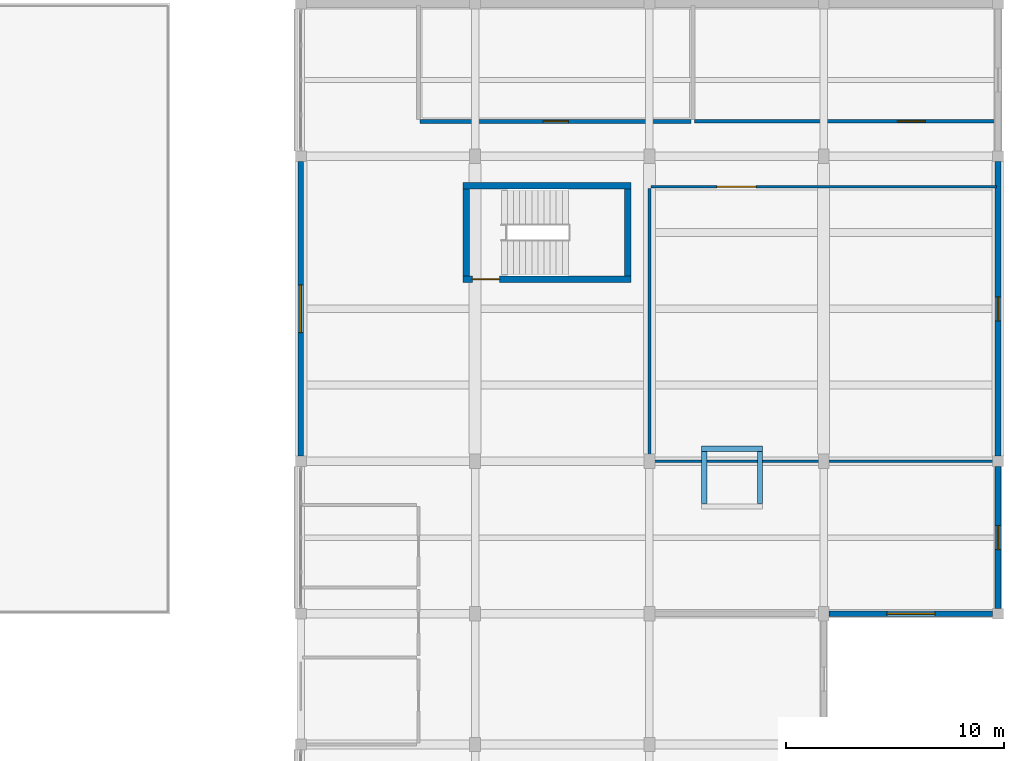
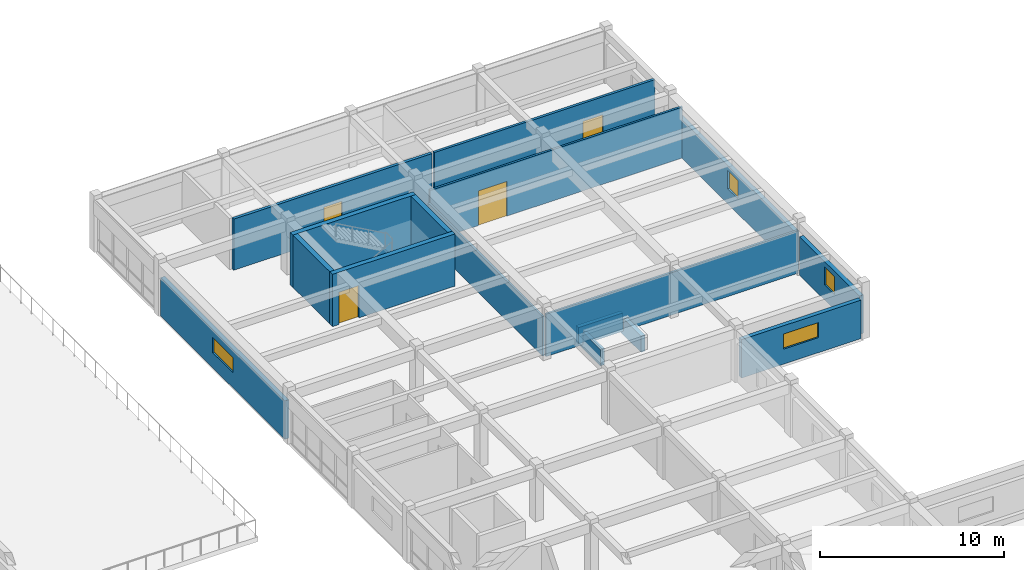
# One storey, part 14 of 22: 16 walls, 4 doors, 4 windows, 8 openings.
"""IFC4 building model written with IfcOpenShell, lengths in metres."""

from ifc_helpers import new_model, si_unit, direction, frame, frame_2d, origin, place, context, subcontext, project, spatial, rectangle, extrude, material, layer, layer_set, type_object, element, fill, save


model = new_model("IFC4")

# Units and contexts
model_context = context("Model", 3, precision=1e-05, world=origin(), true_north=direction((0.0, 1.0)))
body_context = subcontext(model_context, "Body", "Model", "MODEL_VIEW")
ifc_project = project(units=[si_unit("LENGTHUNIT", "METRE"), si_unit("AREAUNIT", "SQUARE_METRE"), si_unit("VOLUMEUNIT", "CUBIC_METRE"), si_unit("PLANEANGLEUNIT", "RADIAN"), si_unit("MASSUNIT", "GRAM", prefix="KILO")], contexts=[model_context])

# Site, building, storey
site_placement = place(None, origin())
site = spatial("IfcSite", under=ifc_project, at=site_placement, CompositionType="ELEMENT")
building_placement = place(site_placement, origin())
building = spatial("IfcBuilding", under=site, at=building_placement, Name="Naurynzar Civic Courthouse", CompositionType="ELEMENT")
storey_placement = place(building_placement, frame((0.0, 0.0, 25.800048828125)))
storey = spatial("IfcBuildingStorey", under=building, at=storey_placement, Name="L07", CompositionType="ELEMENT", Elevation=25.800048828125)

# Wall
ifc_material_1 = material(Name="Acoustic Double-Stud Gypsum Partition")
ifc_layer_1 = layer(ifc_material_1, 0.1298828125)
ifc_layer_set_1 = layer_set([ifc_layer_1], Name="WL-ACOUSTIC-130")
wall_type_1 = type_object("IfcWallType", Name="WL-ACOUSTIC-130", PredefinedType="PARTITIONING", material=ifc_layer_set_1)
wall_1_placement = place(storey_placement, frame((146.080078125, 51.0, 0.0), z_axis=(0.0, 0.0, 1.0), x_axis=(1.0, 0.0, 0.0)))
element("IfcWall", 1, at=wall_1_placement, inside=storey, type_object=wall_type_1, Name="V5 interior partition L07.730", PredefinedType="PARTITIONING", context=body_context, shape_type="SweptSolid", body=[
    extrude(rectangle(XDim=15.83984375, YDim=0.1298828125, at=frame_2d((7.919921875, 0.0))), origin(), (0.0, 0.0, 1.0), 2.820068359375),
])

# Wall, opening, door
wall_2_placement = place(storey_placement, frame((146.080078125, 63.60009765625, 0.0), z_axis=(0.0, 0.0, 1.0), x_axis=(1.0, 0.0, 0.0)))
wall_2 = element("IfcWall", 2, at=wall_2_placement, inside=storey, type_object=wall_type_1, Name="V5 interior partition L07.731", PredefinedType="PARTITIONING", context=body_context, shape_type="SweptSolid", body=[
    extrude(rectangle(XDim=15.83984375, YDim=0.1298828125, at=frame_2d((7.919921875, 0.0))), origin(), (0.0, 0.0, 1.0), 3.389892578125),
])
opening_1_placement = place(wall_2_placement, frame((3.02001953125, 0.0, 0.0)))
opening_1 = element("IfcOpeningElement", 3, at=opening_1_placement, cuts=wall_2, Name="Opening D-358", PredefinedType="OPENING", context=body_context, shape_type="SweptSolid", body=[
    extrude(rectangle(XDim=1.800048828125, YDim=2.300048828125, at=frame_2d((0.89990234375, 1.14990234375))), frame((0.0, 0.074951171875, 0.0), z_axis=(0.0, -1.0, 0.0), x_axis=(1.0, 0.0, 0.0)), (0.0, 0.0, 1.0), 0.14990234375),
])
ifc_material_2 = material(Name="Acoustic Oak Timber Grade A", Category="wood")
door_type_1 = type_object("IfcDoorType", Name="DR-COURT-DBL-1800x2300", OperationType="DOUBLE_DOOR_SINGLE_SWING", PredefinedType="DOOR", material=ifc_material_2)
door_1_placement = place(opening_1_placement, origin())
door_1 = element("IfcDoor", 4, at=door_1_placement, inside=storey, type_object=door_type_1, Name="Interior door D-358 (Special Jurisdiction Courtroom 7B)", OperationType="DOUBLE_DOOR_SINGLE_SWING", OverallHeight=2.300048828125, OverallWidth=1.800048828125, PredefinedType="DOOR", context=body_context, shape_type="SweptSolid", body=[
    extrude(rectangle(XDim=1.800048828125, YDim=2.300048828125, at=frame_2d((0.89990234375, 1.14990234375))), frame((0.0, 0.02490234375, 0.0), z_axis=(0.0, -1.0, 0.0), x_axis=(1.0, 0.0, 0.0)), (0.0, 0.0, 1.0), 0.050048828125),
])
fill(opening_1, door_1)

# Walls
wall_3_placement = place(storey_placement, frame((146.0, 51.080078125, 0.0), z_axis=(0.0, 0.0, 1.0), x_axis=(0.0, 1.0, 0.0)))
element("IfcWall", 5, at=wall_3_placement, inside=storey, type_object=wall_type_1, Name="V5 interior partition L07.761", PredefinedType="PARTITIONING", context=body_context, shape_type="SweptSolid", body=[
    extrude(rectangle(XDim=12.43994140625, YDim=0.1298828125, at=frame_2d((6.219970703125, 0.0))), origin(), (0.0, 0.0, 1.0), 2.619873046875),
])
ifc_material_3 = material(Name="Concrete C40/50", Category="concrete")
ifc_layer_2 = layer(ifc_material_3, 0.300048828125)
ifc_layer_set_2 = layer_set([ifc_layer_2], Name="WL-CORE-300")
wall_type_2 = type_object("IfcWallType", Name="WL-CORE-300", PredefinedType="SHEAR", material=ifc_layer_set_2)
wall_4_placement = place(storey_placement, frame((145.14990234375, 63.64990234375, 0.0), z_axis=(0.0, 0.0, 1.0), x_axis=(-1.0, 0.0, 0.0)))
element("IfcWall", 6, at=wall_4_placement, inside=storey, type_object=wall_type_2, Name="Stair ST-V5B enclosure wall north L07", PredefinedType="SHEAR", context=body_context, shape_type="SweptSolid", body=[
    extrude(rectangle(XDim=7.699951171875, YDim=0.300048828125, at=frame_2d((3.85009765625, 0.0))), origin(), (0.0, 0.0, 1.0), 3.469970703125),
])

# Wall, opening, door
wall_5_placement = place(storey_placement, frame((137.449951171875, 59.35009765625, 0.0), z_axis=(0.0, 0.0, 1.0), x_axis=(1.0, 0.0, 0.0)))
wall_5 = element("IfcWall", 7, at=wall_5_placement, inside=storey, type_object=wall_type_2, Name="Stair ST-V5B enclosure wall south L07", PredefinedType="SHEAR", context=body_context, shape_type="SweptSolid", body=[
    extrude(rectangle(XDim=7.699951171875, YDim=0.300048828125, at=frame_2d((3.85009765625, 0.0))), origin(), (0.0, 0.0, 1.0), 3.469970703125),
])
opening_2_placement = place(wall_5_placement, frame((0.425048828125, 0.0, 0.0)))
opening_2 = element("IfcOpeningElement", 8, at=opening_2_placement, cuts=wall_5, Name="Opening SD-075", PredefinedType="OPENING", context=body_context, shape_type="SweptSolid", body=[
    extrude(rectangle(XDim=1.25, YDim=2.14990234375, at=frame_2d((0.625, 1.074951171875))), frame((0.0, 0.159912109375, 0.0), z_axis=(0.0, -1.0, 0.0), x_axis=(1.0, 0.0, 0.0)), (0.0, 0.0, 1.0), 0.320068359375),
])
ifc_material_4 = material(Name="Powder-Coated Galvanised Steel", Category="steel")
door_type_2 = type_object("IfcDoorType", Name="DR-STAIR-1250x2150", OperationType="NOTDEFINED", PredefinedType="DOOR", material=ifc_material_4)
door_2_placement = place(opening_2_placement, origin())
door_2 = element("IfcDoor", 9, at=door_2_placement, inside=storey, type_object=door_type_2, Name="Stair ST-V5B fire door L07", OperationType="SINGLE_SWING_LEFT", OverallHeight=2.14990234375, OverallWidth=1.25, PredefinedType="DOOR", context=body_context, shape_type="SweptSolid", body=[
    extrude(rectangle(XDim=1.25, YDim=2.14990234375, at=frame_2d((0.625, 1.074951171875))), frame((0.0, 0.02490234375, 0.0), z_axis=(0.0, -1.0, 0.0), x_axis=(1.0, 0.0, 0.0)), (0.0, 0.0, 1.0), 0.050048828125),
])
fill(opening_2, door_2)

# Walls
for number, where, z_axis, x_axis, name in (
    (10, (137.60009765625, 63.4951171875, 0.0), (0.0, 0.0, 1.0), (0.0, -1.0, 0.0), "Stair ST-V5B enclosure wall west L07"),
    (11, (145.0, 59.5048828125, 0.0), (0.0, 0.0, 1.0), (0.0, 1.0, 0.0), "Stair ST-V5B enclosure wall east L07"),
):
    element("IfcWall", number, at=place(storey_placement, frame(where, z_axis=z_axis, x_axis=x_axis)), inside=storey, type_object=wall_type_2, Name=name, PredefinedType="SHEAR", context=body_context, shape_type="SweptSolid", body=[
        extrude(rectangle(XDim=3.990234375, YDim=0.300048828125, at=frame_2d((1.9951171875, 0.0))), origin(), (0.0, 0.0, 1.0), 3.469970703125),
    ])

# Wall, opening, window
ifc_material_5 = material(Name="Precast concrete C40/50", Category="concrete")
ifc_layer_3 = layer(ifc_material_5, 0.260009765625)
ifc_layer_set_3 = layer_set([ifc_layer_3], Name="WL-EXT-260")
wall_type_3 = type_object("IfcWallType", Name="WL-EXT-260", PredefinedType="SOLIDWALL", material=ifc_layer_set_3)
wall_6_placement = place(storey_placement, frame((130.0, 51.25, 0.0), z_axis=(0.0, 0.0, 1.0), x_axis=(0.0, 1.0, 0.0)))
wall_6 = element("IfcWall", 12, at=wall_6_placement, inside=storey, type_object=wall_type_3, Name="V5 exterior wall west L07.6.1", PredefinedType="SOLIDWALL", context=body_context, shape_type="SweptSolid", body=[
    extrude(rectangle(XDim=13.5, YDim=0.260009765625, at=frame_2d((6.75, 0.0))), origin(), (0.0, 0.0, 1.0), 2.550048828125),
])
opening_3_placement = place(wall_6_placement, frame((5.64990234375, 0.0, 1.0)))
opening_3 = element("IfcOpeningElement", 13, at=opening_3_placement, cuts=wall_6, Name="Opening WN-18", PredefinedType="OPENING", context=body_context, shape_type="SweptSolid", body=[
    extrude(rectangle(XDim=2.199951171875, YDim=1.0, at=frame_2d((1.10009765625, 0.5))), frame((0.0, 0.139892578125, 0.0), z_axis=(0.0, -1.0, 0.0), x_axis=(1.0, 0.0, 0.0)), (0.0, 0.0, 1.0), 0.280029296875),
])
ifc_material_6 = material(Name="Tempered Laminated Low-E Glass", Category="glass")
window_type_1 = type_object("IfcWindowType", Name="WIN-CLER-2200x1000", PartitioningType="DOUBLE_PANEL_VERTICAL", PredefinedType="WINDOW", material=ifc_material_6)
window_1_placement = place(opening_3_placement, origin())
window_1 = element("IfcWindow", 14, at=window_1_placement, inside=storey, type_object=window_type_1, Name="V5 window 354 L07", OverallHeight=1.0, OverallWidth=2.199951171875, PartitioningType="SINGLE_PANEL", PredefinedType="WINDOW", context=body_context, shape_type="SweptSolid", body=[
    extrude(rectangle(XDim=2.199951171875, YDim=1.0, at=frame_2d((1.10009765625, 0.5))), frame((0.0, 0.030029296875, 0.0), z_axis=(0.0, -1.0, 0.0), x_axis=(1.0, 0.0, 0.0)), (0.0, 0.0, 1.0), 0.06005859375),
])
fill(opening_3, window_1)

wall_7_placement = place(storey_placement, frame((162.0, 64.75, 0.0), z_axis=(0.0, 0.0, 1.0), x_axis=(0.0, -1.0, 0.0)))
wall_7 = element("IfcWall", 15, at=wall_7_placement, inside=storey, type_object=wall_type_3, Name="V5 exterior wall east_north L07.2.1", PredefinedType="SOLIDWALL", context=body_context, shape_type="SweptSolid", body=[
    extrude(rectangle(XDim=13.5, YDim=0.260009765625, at=frame_2d((6.75, 0.0))), origin(), (0.0, 0.0, 1.0), 2.550048828125),
])
opening_4_placement = place(wall_7_placement, frame((6.199951171875, 0.0, 1.0)))
opening_4 = element("IfcOpeningElement", 16, at=opening_4_placement, cuts=wall_7, Name="Opening WN-15", PredefinedType="OPENING", context=body_context, shape_type="SweptSolid", body=[
    extrude(rectangle(XDim=1.10009765625, YDim=1.199951171875, at=frame_2d((0.550048828125, 0.60009765625))), frame((0.0, 0.139892578125, 0.0), z_axis=(0.0, -1.0, 0.0), x_axis=(1.0, 0.0, 0.0)), (0.0, 0.0, 1.0), 0.280029296875),
])
ifc_material_7 = material(Name="Tempered Laminated Low-E Glass", Category="glass")
window_type_2 = type_object("IfcWindowType", Name="WIN-SEC-1100x1200", PartitioningType="SINGLE_PANEL", PredefinedType="WINDOW", material=ifc_material_7)
window_2_placement = place(opening_4_placement, origin())
window_2 = element("IfcWindow", 17, at=window_2_placement, inside=storey, type_object=window_type_2, Name="V5 window 356 L07", OverallHeight=1.199951171875, OverallWidth=1.10009765625, PartitioningType="SINGLE_PANEL", PredefinedType="WINDOW", context=body_context, shape_type="SweptSolid", body=[
    extrude(rectangle(XDim=1.10009765625, YDim=1.199951171875, at=frame_2d((0.550048828125, 0.60009765625))), frame((0.0, 0.030029296875, 0.0), z_axis=(0.0, -1.0, 0.0), x_axis=(1.0, 0.0, 0.0)), (0.0, 0.0, 1.0), 0.06005859375),
])
fill(opening_4, window_2)

wall_8_placement = place(storey_placement, frame((162.0, 50.75, 0.0), z_axis=(0.0, 0.0, 1.0), x_axis=(0.0, -1.0, 0.0)))
wall_8 = element("IfcWall", 18, at=wall_8_placement, inside=storey, type_object=wall_type_3, Name="V5 exterior wall east_north L07.3.1", PredefinedType="SOLIDWALL", context=body_context, shape_type="SweptSolid", body=[
    extrude(rectangle(XDim=6.5, YDim=0.260009765625, at=frame_2d((3.25, 0.0))), origin(), (0.0, 0.0, 1.0), 2.550048828125),
])
opening_5_placement = place(wall_8_placement, frame((2.699951171875, 0.0, 1.0)))
opening_5 = element("IfcOpeningElement", 19, at=opening_5_placement, cuts=wall_8, Name="Opening WN-15", PredefinedType="OPENING", context=body_context, shape_type="SweptSolid", body=[
    extrude(rectangle(XDim=1.10009765625, YDim=1.199951171875, at=frame_2d((0.550048828125, 0.60009765625))), frame((0.0, 0.139892578125, 0.0), z_axis=(0.0, -1.0, 0.0), x_axis=(1.0, 0.0, 0.0)), (0.0, 0.0, 1.0), 0.280029296875),
])
window_3_placement = place(opening_5_placement, origin())
window_3 = element("IfcWindow", 20, at=window_3_placement, inside=storey, type_object=window_type_2, Name="V5 window 357 L07", OverallHeight=1.199951171875, OverallWidth=1.10009765625, PartitioningType="SINGLE_PANEL", PredefinedType="WINDOW", context=body_context, shape_type="SweptSolid", body=[
    extrude(rectangle(XDim=1.10009765625, YDim=1.199951171875, at=frame_2d((0.550048828125, 0.60009765625))), frame((0.0, 0.030029296875, 0.0), z_axis=(0.0, -1.0, 0.0), x_axis=(1.0, 0.0, 0.0)), (0.0, 0.0, 1.0), 0.06005859375),
])
fill(opening_5, window_3)

wall_9_placement = place(storey_placement, frame((161.75, 44.0, 0.0), z_axis=(0.0, 0.0, 1.0), x_axis=(-1.0, 0.0, 0.0)))
wall_9 = element("IfcWall", 21, at=wall_9_placement, inside=storey, type_object=wall_type_3, Name="V5 exterior wall notch_n L07.1.1", PredefinedType="SOLIDWALL", context=body_context, shape_type="SweptSolid", body=[
    extrude(rectangle(XDim=7.5, YDim=0.260009765625, at=frame_2d((3.75, 0.0))), origin(), (0.0, 0.0, 1.0), 2.550048828125),
])
opening_6_placement = place(wall_9_placement, frame((2.64990234375, 0.0, 1.0)))
opening_6 = element("IfcOpeningElement", 22, at=opening_6_placement, cuts=wall_9, Name="Opening WN-18", PredefinedType="OPENING", context=body_context, shape_type="SweptSolid", body=[
    extrude(rectangle(XDim=2.199951171875, YDim=1.0, at=frame_2d((1.10009765625, 0.5))), frame((0.0, 0.139892578125, 0.0), z_axis=(0.0, -1.0, 0.0), x_axis=(1.0, 0.0, 0.0)), (0.0, 0.0, 1.0), 0.280029296875),
])
window_4_placement = place(opening_6_placement, origin())
window_4 = element("IfcWindow", 23, at=window_4_placement, inside=storey, type_object=window_type_1, Name="V5 window 358 L07", OverallHeight=1.0, OverallWidth=2.199951171875, PartitioningType="SINGLE_PANEL", PredefinedType="WINDOW", context=body_context, shape_type="SweptSolid", body=[
    extrude(rectangle(XDim=2.199951171875, YDim=1.0, at=frame_2d((1.10009765625, 0.5))), frame((0.0, 0.030029296875, 0.0), z_axis=(0.0, -1.0, 0.0), x_axis=(1.0, 0.0, 0.0)), (0.0, 0.0, 1.0), 0.06005859375),
])
fill(opening_6, window_4)

# Wall, opening, door
ifc_material_8 = material(Name="Insulated Metal-Stud Gypsum Partition")
ifc_layer_4 = layer(ifc_material_8, 0.159912109375)
ifc_layer_set_4 = layer_set([ifc_layer_4], Name="WL-PART-CHAMB-160")
wall_type_4 = type_object("IfcWallType", Name="WL-PART-CHAMB-160", PredefinedType="PARTITIONING", material=ifc_layer_set_4)
wall_10_placement = place(storey_placement, frame((148.080078125, 66.60009765625, 0.0), z_axis=(0.0, 0.0, 1.0), x_axis=(1.0, 0.0, 0.0)))
wall_10 = element("IfcWall", 24, at=wall_10_placement, inside=storey, type_object=wall_type_4, Name="V5 interior partition L07.737", PredefinedType="PARTITIONING", context=body_context, shape_type="SweptSolid", body=[
    extrude(rectangle(XDim=13.83984375, YDim=0.159912109375, at=frame_2d((6.919921875, 0.0))), origin(), (0.0, 0.0, 1.0), 3.389892578125),
])
opening_7_placement = place(wall_10_placement, frame((9.302001953125, 0.0, 0.0)))
opening_7 = element("IfcOpeningElement", 25, at=opening_7_placement, cuts=wall_10, Name="Opening D-360", PredefinedType="OPENING", context=body_context, shape_type="SweptSolid", body=[
    extrude(rectangle(XDim=1.280029296875, YDim=2.199951171875, at=frame_2d((0.64013671875, 1.10009765625))), frame((0.0, 0.08984375, 0.0), z_axis=(0.0, -1.0, 0.0), x_axis=(1.0, 0.0, 0.0)), (0.0, 0.0, 1.0), 0.179931640625),
])
ifc_material_9 = material(Name="Acoustic Oak Timber Grade A", Category="wood")
door_type_3 = type_object("IfcDoorType", Name="DR-SUITE-1280x2200", OperationType="NOTDEFINED", PredefinedType="DOOR", material=ifc_material_9)
door_3_placement = place(opening_7_placement, origin())
door_3 = element("IfcDoor", 26, at=door_3_placement, inside=storey, type_object=door_type_3, Name="Interior door D-360 (Criminal Judges' Chambers 7-V5)", OperationType="SINGLE_SWING_RIGHT", OverallHeight=2.199951171875, OverallWidth=1.280029296875, PredefinedType="DOOR", context=body_context, shape_type="SweptSolid", body=[
    extrude(rectangle(XDim=1.280029296875, YDim=2.199951171875, at=frame_2d((0.64013671875, 1.10009765625))), frame((0.0, 0.02490234375, 0.0), z_axis=(0.0, -1.0, 0.0), x_axis=(1.0, 0.0, 0.0)), (0.0, 0.0, 1.0), 0.050048828125),
])
fill(opening_7, door_3)

ifc_material_10 = material(Name="Acoustic Double-Stud Gypsum Partition")
ifc_layer_5 = layer(ifc_material_10, 0.179931640625)
ifc_layer_set_5 = layer_set([ifc_layer_5], Name="WL-PART-JURY-180")
wall_type_5 = type_object("IfcWallType", Name="WL-PART-JURY-180", PredefinedType="PARTITIONING", material=ifc_layer_set_5)
wall_11_placement = place(storey_placement, frame((135.47998046875, 66.60009765625, 0.0), z_axis=(0.0, 0.0, 1.0), x_axis=(1.0, 0.0, 0.0)))
wall_11 = element("IfcWall", 27, at=wall_11_placement, inside=storey, type_object=wall_type_5, Name="V5 interior partition L07.736", PredefinedType="PARTITIONING", context=body_context, shape_type="SweptSolid", body=[
    extrude(rectangle(XDim=12.43994140625, YDim=0.179931640625, at=frame_2d((6.219970703125, 0.0))), origin(), (0.0, 0.0, 1.0), 3.389892578125),
])
opening_8_placement = place(wall_11_placement, frame((5.64501953125, 0.0, 0.0)))
opening_8 = element("IfcOpeningElement", 28, at=opening_8_placement, cuts=wall_11, Name="Opening D-359", PredefinedType="OPENING", context=body_context, shape_type="SweptSolid", body=[
    extrude(rectangle(XDim=1.14990234375, YDim=2.199951171875, at=frame_2d((0.574951171875, 1.10009765625))), frame((0.0, 0.099853515625, 0.0), z_axis=(0.0, -1.0, 0.0), x_axis=(1.0, 0.0, 0.0)), (0.0, 0.0, 1.0), 0.199951171875),
])
ifc_material_11 = material(Name="Acoustic Oak Timber Grade A", Category="wood")
door_type_4 = type_object("IfcDoorType", Name="DR-JURY-1150x2200", OperationType="NOTDEFINED", PredefinedType="DOOR", material=ifc_material_11)
door_4_placement = place(opening_8_placement, origin())
door_4 = element("IfcDoor", 29, at=door_4_placement, inside=storey, type_object=door_type_4, Name="Interior door D-359 (Jury Deliberation Room 7-V5)", OperationType="SINGLE_SWING_LEFT", OverallHeight=2.199951171875, OverallWidth=1.14990234375, PredefinedType="DOOR", context=body_context, shape_type="SweptSolid", body=[
    extrude(rectangle(XDim=1.14990234375, YDim=2.199951171875, at=frame_2d((0.574951171875, 1.10009765625))), frame((0.0, 0.02490234375, 0.0), z_axis=(0.0, -1.0, 0.0), x_axis=(1.0, 0.0, 0.0)), (0.0, 0.0, 1.0), 0.050048828125),
])
fill(opening_8, door_4)

# Walls
ifc_material_12 = material(Name="Concrete C40/50", Category="concrete")
ifc_layer_6 = layer(ifc_material_12, 0.25)
ifc_layer_set_6 = layer_set([ifc_layer_6], Name="WL-SHAFT-250")
wall_type_6 = type_object("IfcWallType", Name="WL-SHAFT-250", PredefinedType="SHEAR", material=ifc_layer_set_6)
wall_12_placement = place(storey_placement, frame((151.199951171875, 51.574951171875, -0.280029296875), z_axis=(0.0, 0.0, 1.0), x_axis=(-1.0, 0.0, 0.0)))
element("IfcWall", 30, at=wall_12_placement, inside=storey, type_object=wall_type_6, Name="Lift LF-CUS overrun shaft wall north", PredefinedType="SHEAR", context=body_context, shape_type="SweptSolid", body=[
    extrude(rectangle(XDim=2.800048828125, YDim=0.25, at=frame_2d((1.39990234375, 0.0))), origin(), (0.0, 0.0, 1.0), 1.080078125),
])
for number, where, z_axis, x_axis, name in (
    (31, (148.52490234375, 51.445068359375, -0.280029296875), (0.0, 0.0, 1.0), (0.0, -1.0, 0.0), "Lift LF-CUS overrun shaft wall west"),
    (32, (151.074951171875, 49.054931640625, -0.280029296875), (0.0, 0.0, 1.0), (0.0, 1.0, 0.0), "Lift LF-CUS overrun shaft wall east"),
):
    element("IfcWall", number, at=place(storey_placement, frame(where, z_axis=z_axis, x_axis=x_axis)), inside=storey, type_object=wall_type_6, Name=name, PredefinedType="SHEAR", context=body_context, shape_type="SweptSolid", body=[
        extrude(rectangle(XDim=2.39013671875, YDim=0.25, at=frame_2d((1.195068359375, 0.0))), origin(), (0.0, 0.0, 1.0), 1.080078125),
    ])

save(model, "model.ifc")
